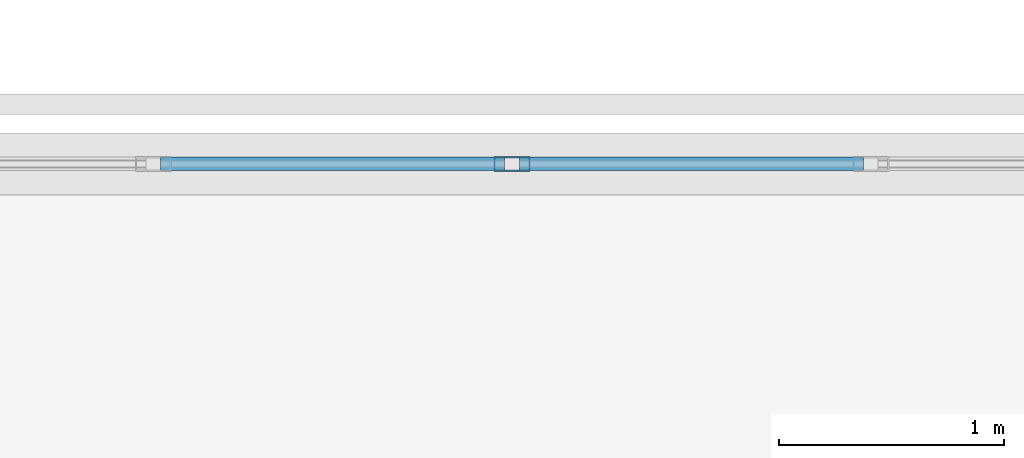
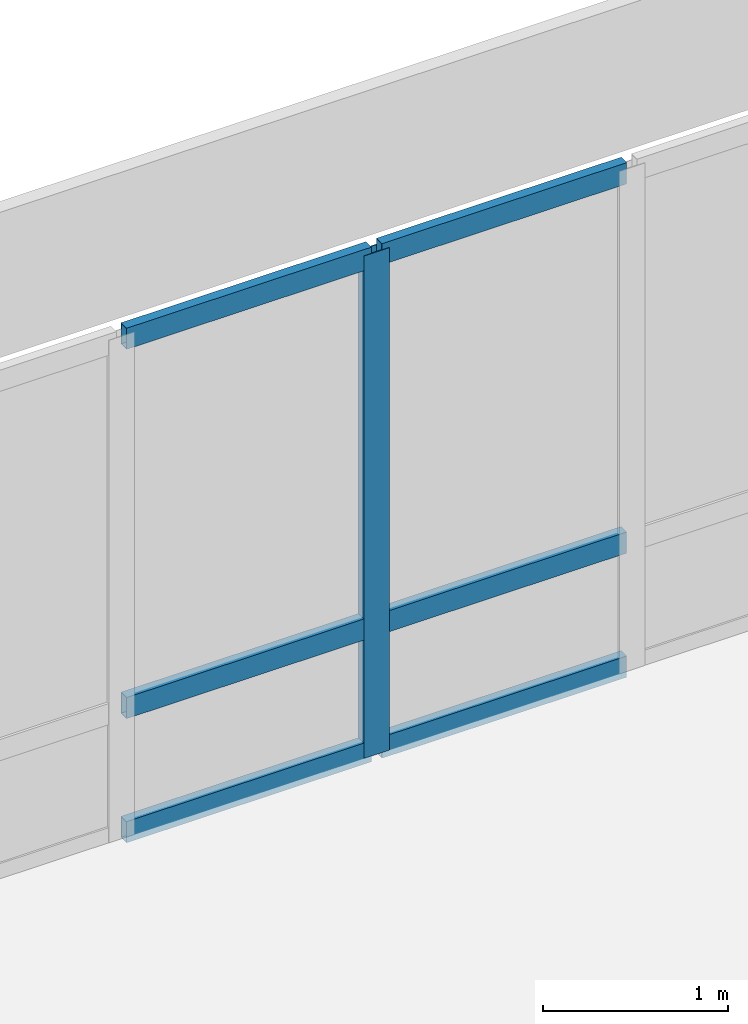
# One storey, part 68 of 185: 7 members, 1 element without a shape of its own.
"""IFC4 building model written with IfcOpenShell, lengths in metres."""

from ifc_helpers import new_model, si_unit, direction, frame, origin, origin_2d, place, context, subcontext, project, spatial, hollow_rectangle, extrude, material, material_profile, profile_set, type_object, element, aggregate, save


model = new_model("IFC4")

# Units and contexts
model_context = context("Model", 3, precision=1e-05, world=origin(), true_north=direction((0.0, 1.0)))
body_context = subcontext(model_context, "Body", "Model", "MODEL_VIEW")
ifc_project = project(units=[si_unit("LENGTHUNIT", "METRE"), si_unit("AREAUNIT", "SQUARE_METRE"), si_unit("VOLUMEUNIT", "CUBIC_METRE"), si_unit("PLANEANGLEUNIT", "RADIAN"), si_unit("MASSUNIT", "GRAM", prefix="KILO")], contexts=[model_context])

# Site, building, storey
site_placement = place(None, origin())
site = spatial("IfcSite", under=ifc_project, at=site_placement, CompositionType="ELEMENT")
building_placement = place(site_placement, origin())
building = spatial("IfcBuilding", under=site, at=building_placement, Name="Vondelvale Polytechnic", CompositionType="ELEMENT")
storey_placement = place(building_placement, frame((0.0, 0.0, 9.60009765625)))
storey = spatial("IfcBuildingStorey", under=building, at=storey_placement, Name="L02", CompositionType="ELEMENT", Elevation=9.60009765625)

# Curtain wall, members
ifc_material = material(Name="Anodised extruded aluminium 6063-T6", Category="aluminium")
curtain_wall_type = type_object("IfcCurtainWallType", Name="CW-STUDIO-NORTH", PredefinedType="NOTDEFINED", material=ifc_material)
curtain_wall_placement = place(storey_placement, origin())
curtain_wall = element("IfcCurtainWall", 1, at=curtain_wall_placement, inside=storey, type_object=curtain_wall_type, Name="L02 architectural curtain wall CW-01-005", PredefinedType="NOTDEFINED")
ifc_material_profile_1 = material_profile(ifc_material, hollow_rectangle(XDim=0.06494140625, YDim=0.159912109375, WallThickness=0.0048828125, at=origin_2d()), Name="CW-MUL-160x65")
ifc_profile_set_1 = profile_set([ifc_material_profile_1], Name="Anodised extruded aluminium 6063-T6")
member_type_1 = type_object("IfcMemberType", Name="CW-MUL-65x160", PredefinedType="MULLION", material=ifc_profile_set_1)
member_1_placement = place(storey_placement, frame((14.39990234375, 122.39990234375, 0.0), z_axis=(0.0, 0.0, 1.0), x_axis=(0.0, 1.0, 0.0)))
member_1 = element("IfcMember", 2, at=member_1_placement, type_object=member_type_1, Name="CW-01-005 mullion 4", PredefinedType="MULLION", context=body_context, shape_type="SweptSolid", body=[
    extrude(hollow_rectangle(XDim=0.06494140625, YDim=0.159912109375, WallThickness=0.0048828125, at=origin_2d()), origin(), (0.0, 0.0, 1.0), 3.31982421875),
])
ifc_material_profile_2 = material_profile(ifc_material, hollow_rectangle(XDim=0.06005859375, YDim=0.139892578125, WallThickness=0.00341796875, at=origin_2d()), Name="CW-TRN-140x60")
ifc_profile_set_2 = profile_set([ifc_material_profile_2], Name="Anodised extruded aluminium 6063-T6")
member_type_2 = type_object("IfcMemberType", Name="CW-TRN-60x140", PredefinedType="USERDEFINED", material=ifc_profile_set_2)
member_2_placement = place(storey_placement, frame((12.83740234375, 122.39990234375, 0.02978515625), z_axis=(1.0, 0.0, 0.0), x_axis=(0.0, 1.0, 0.0)))
member_2 = element("IfcMember", 3, at=member_2_placement, type_object=member_type_2, Name="CW-01-005 transom 3.1", ObjectType="TRANSOM", PredefinedType="USERDEFINED", context=body_context, shape_type="SweptSolid", body=[
    extrude(hollow_rectangle(XDim=0.06005859375, YDim=0.139892578125, WallThickness=0.00341796875, at=origin_2d()), origin(), (0.0, 0.0, 1.0), 1.530029296875),
])
member_3_placement = place(storey_placement, frame((12.83740234375, 122.39990234375, 0.849853515625), z_axis=(1.0, 0.0, 0.0), x_axis=(0.0, 1.0, 0.0)))
member_3 = element("IfcMember", 4, at=member_3_placement, type_object=member_type_2, Name="CW-01-005 transom 3.2", ObjectType="TRANSOM", PredefinedType="USERDEFINED", context=body_context, shape_type="SweptSolid", body=[
    extrude(hollow_rectangle(XDim=0.06005859375, YDim=0.139892578125, WallThickness=0.00341796875, at=origin_2d()), origin(), (0.0, 0.0, 1.0), 1.530029296875),
])
member_4_placement = place(storey_placement, frame((12.83740234375, 122.39990234375, 3.289794921875), z_axis=(1.0, 0.0, 0.0), x_axis=(0.0, 1.0, 0.0)))
member_4 = element("IfcMember", 5, at=member_4_placement, type_object=member_type_2, Name="CW-01-005 transom 3.3", ObjectType="TRANSOM", PredefinedType="USERDEFINED", context=body_context, shape_type="SweptSolid", body=[
    extrude(hollow_rectangle(XDim=0.06005859375, YDim=0.139892578125, WallThickness=0.00341796875, at=origin_2d()), origin(), (0.0, 0.0, 1.0), 1.530029296875),
])
member_5_placement = place(storey_placement, frame((14.4326171875, 122.39990234375, 0.02978515625), z_axis=(1.0, 0.0, 0.0), x_axis=(0.0, 1.0, 0.0)))
member_5 = element("IfcMember", 6, at=member_5_placement, type_object=member_type_2, Name="CW-01-005 transom 4.1", ObjectType="TRANSOM", PredefinedType="USERDEFINED", context=body_context, shape_type="SweptSolid", body=[
    extrude(hollow_rectangle(XDim=0.06005859375, YDim=0.139892578125, WallThickness=0.00341796875, at=origin_2d()), origin(), (0.0, 0.0, 1.0), 1.52978515625),
])
member_6_placement = place(storey_placement, frame((14.4326171875, 122.39990234375, 0.849853515625), z_axis=(1.0, 0.0, 0.0), x_axis=(0.0, 1.0, 0.0)))
member_6 = element("IfcMember", 7, at=member_6_placement, type_object=member_type_2, Name="CW-01-005 transom 4.2", ObjectType="TRANSOM", PredefinedType="USERDEFINED", context=body_context, shape_type="SweptSolid", body=[
    extrude(hollow_rectangle(XDim=0.06005859375, YDim=0.139892578125, WallThickness=0.00341796875, at=origin_2d()), origin(), (0.0, 0.0, 1.0), 1.52978515625),
])
member_7_placement = place(storey_placement, frame((14.4326171875, 122.39990234375, 3.289794921875), z_axis=(1.0, 0.0, 0.0), x_axis=(0.0, 1.0, 0.0)))
member_7 = element("IfcMember", 8, at=member_7_placement, type_object=member_type_2, Name="CW-01-005 transom 4.3", ObjectType="TRANSOM", PredefinedType="USERDEFINED", context=body_context, shape_type="SweptSolid", body=[
    extrude(hollow_rectangle(XDim=0.06005859375, YDim=0.139892578125, WallThickness=0.00341796875, at=origin_2d()), origin(), (0.0, 0.0, 1.0), 1.52978515625),
])
aggregate(curtain_wall, [member_1, member_2, member_3, member_4, member_5, member_6, member_7])

save(model, "model.ifc")
